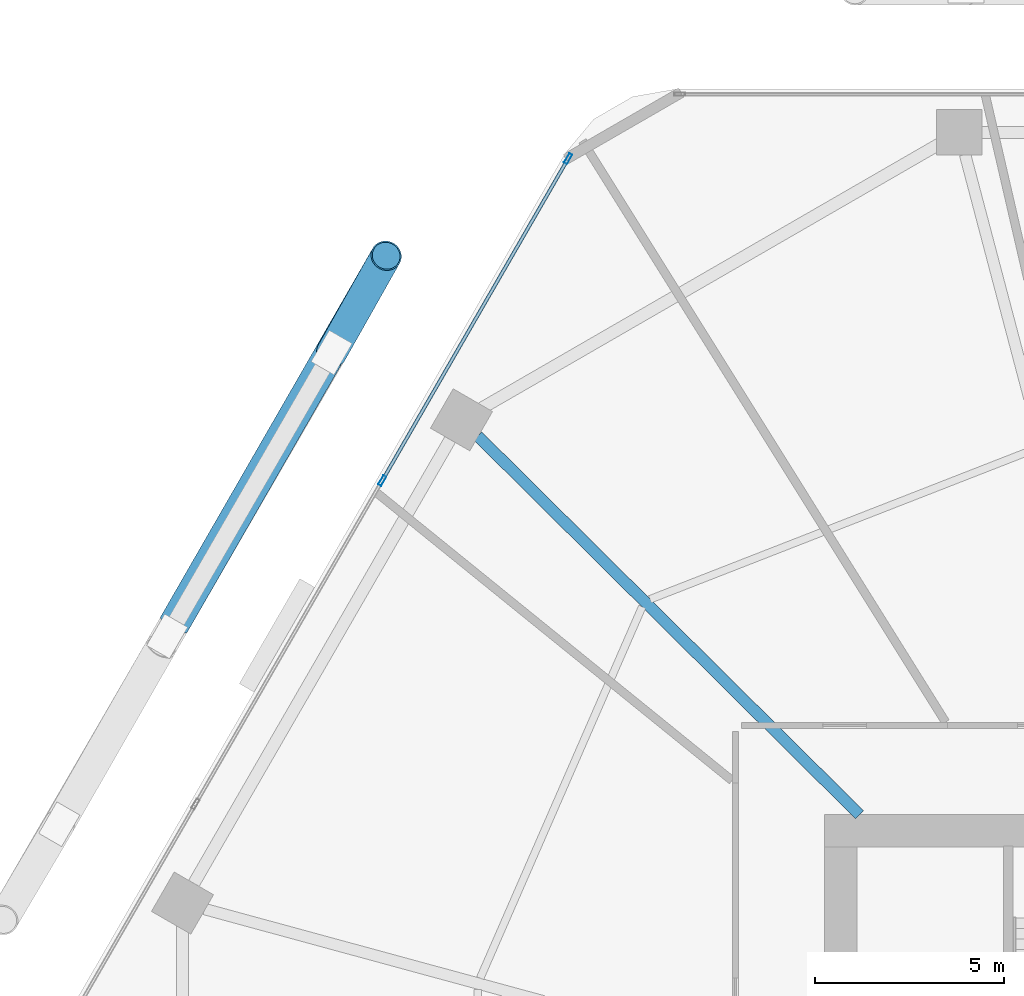
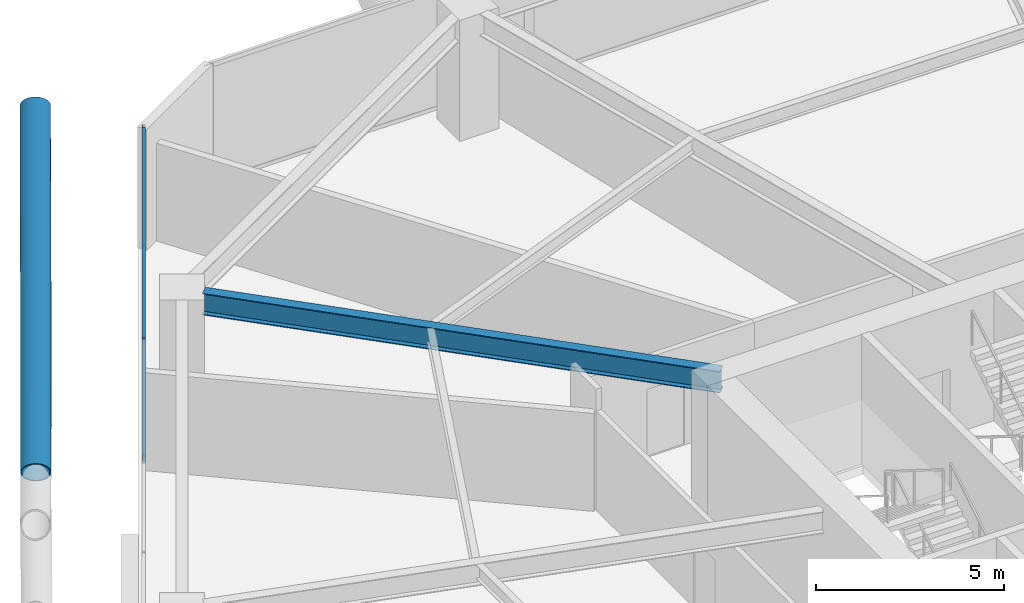
# One storey, part 15 of 30: 6 members, 1 beam, 1 element without a shape of its own.
"""IFC4 building model written with IfcOpenShell, lengths in metres."""

from ifc_helpers import new_model, si_unit, direction, frame, origin, origin_2d, place, context, subcontext, project, spatial, hollow_rectangle, hollow_circle, i_section, extrude, material, material_profile, profile_set, type_object, element, aggregate, save


model = new_model("IFC4")

# Units and contexts
model_context = context("Model", 3, precision=1e-05, world=origin(), true_north=direction((0.0, 1.0)))
body_context = subcontext(model_context, "Body", "Model", "MODEL_VIEW")
ifc_project = project(units=[si_unit("LENGTHUNIT", "METRE"), si_unit("AREAUNIT", "SQUARE_METRE"), si_unit("VOLUMEUNIT", "CUBIC_METRE"), si_unit("PLANEANGLEUNIT", "RADIAN"), si_unit("MASSUNIT", "GRAM", prefix="KILO")], contexts=[model_context])

# Site, building, storey
site_placement = place(None, origin())
site = spatial("IfcSite", under=ifc_project, at=site_placement, CompositionType="ELEMENT")
building_placement = place(site_placement, origin())
building = spatial("IfcBuilding", under=site, at=building_placement, Name="Zuhravey Tower", CompositionType="ELEMENT")
storey_placement = place(building_placement, frame((0.0, 0.0, 33.0)))
storey = spatial("IfcBuildingStorey", under=building, at=storey_placement, Name="L08", CompositionType="ELEMENT", Elevation=33.0)

# Curtain wall, members
ifc_material_1 = material(Name="Thermally broken anodised aluminium", Category="aluminium")
curtain_wall_type = type_object("IfcCurtainWallType", Name="School Low-E Unitised Curtain Wall CW1", PredefinedType="NOTDEFINED", material=ifc_material_1)
curtain_wall_placement = place(storey_placement, origin())
curtain_wall = element("IfcCurtainWall", 1, at=curtain_wall_placement, inside=storey, type_object=curtain_wall_type, Name="L08 CW1 CW-L08-F3-1", PredefinedType="NOTDEFINED")
ifc_material_2 = material(Name="Anodised aluminium", Category="aluminium")
ifc_material_profile_1 = material_profile(ifc_material_2, hollow_rectangle(XDim=0.090087890625, YDim=0.284912109375, WallThickness=0.0048828125, at=origin_2d()), Name="ALU-RHS-90x285x5")
ifc_profile_set_1 = profile_set([ifc_material_profile_1], Name="Anodised aluminium")
member_type_1 = type_object("IfcMemberType", Name="Curtain-Wall Mullion 90x180", PredefinedType="MULLION", material=ifc_profile_set_1)
member_1_placement = place(storey_placement, frame((13.387939453125, 50.75146484375, 0.0), z_axis=(0.0, 0.0, 1.0), x_axis=(-0.86602552265, 0.499999794119, 0.0)))
member_1 = element("IfcMember", 2, at=member_1_placement, type_object=member_type_1, Name="CW1 mullion 3", PredefinedType="MULLION", context=body_context, shape_type="SweptSolid", body=[
    extrude(hollow_rectangle(XDim=0.090087890625, YDim=0.284912109375, WallThickness=0.0048828125, at=origin_2d()), origin(), (0.0, 0.0, 1.0), 3.919921875),
])
member_2_placement = place(storey_placement, frame((18.298583984375, 59.257080078125, 0.0), z_axis=(0.0, 0.0, 1.0), x_axis=(-0.86602552265, 0.499999794119, 0.0)))
member_2 = element("IfcMember", 3, at=member_2_placement, type_object=member_type_1, Name="CW1 mullion 4", PredefinedType="MULLION", context=body_context, shape_type="SweptSolid", body=[
    extrude(hollow_rectangle(XDim=0.090087890625, YDim=0.284912109375, WallThickness=0.0048828125, at=origin_2d()), origin(), (0.0, 0.0, 1.0), 3.919921875),
])
ifc_material_profile_2 = material_profile(ifc_material_2, hollow_rectangle(XDim=0.090087890625, YDim=0.14990234375, WallThickness=0.0048828125, at=origin_2d()), Name="ALU-RHS-90x150x5")
ifc_profile_set_2 = profile_set([ifc_material_profile_2], Name="Anodised aluminium")
member_type_2 = type_object("IfcMemberType", Name="Curtain-Wall Transom 90x150", PredefinedType="USERDEFINED", material=ifc_profile_set_2)
member_3_placement = place(storey_placement, frame((13.410400390625, 50.79052734375, 0.044921875), z_axis=(0.499989576763, 0.86603142156, 0.0), x_axis=(-0.86603142156, 0.499989576763, 0.0)))
member_3 = element("IfcMember", 4, at=member_3_placement, type_object=member_type_2, Name="CW1 transom 3.1", ObjectType="TRANSOM", PredefinedType="USERDEFINED", context=body_context, shape_type="SweptSolid", body=[
    extrude(hollow_rectangle(XDim=0.090087890625, YDim=0.14990234375, WallThickness=0.0048828125, at=origin_2d()), origin(), (0.0, 0.0, 1.0), 9.731201171875),
])
member_4_placement = place(storey_placement, frame((13.410400390625, 50.79052734375, 3.875), z_axis=(0.499989576763, 0.86603142156, 0.0), x_axis=(-0.86603142156, 0.499989576763, 0.0)))
member_4 = element("IfcMember", 5, at=member_4_placement, type_object=member_type_2, Name="CW1 transom 3.2", ObjectType="TRANSOM", PredefinedType="USERDEFINED", context=body_context, shape_type="SweptSolid", body=[
    extrude(hollow_rectangle(XDim=0.090087890625, YDim=0.14990234375, WallThickness=0.0048828125, at=origin_2d()), origin(), (0.0, 0.0, 1.0), 9.731201171875),
])
aggregate(curtain_wall, [member_1, member_2, member_3, member_4])

# Members
ifc_material_3 = material(Name="Steel SM460", Category="steel")
ifc_material_profile_3 = material_profile(ifc_material_3, hollow_circle(Radius=0.406494140625, WallThickness=0.035888671875, at=origin_2d()), Name="CHS-812.8x36")
ifc_profile_set_3 = profile_set([ifc_material_profile_3], Name="Steel SM460")
member_type_3 = type_object("IfcMemberType", Name="Exoskeleton Zone 1 Diagrid CHS813x36", PredefinedType="BRACE", material=ifc_profile_set_3)
member_5_placement = place(storey_placement, frame((12.0537109375, 54.14111328125, -0.471923828125), z_axis=(0.16241062079, 0.288037579757, 0.943746333981), x_axis=(-0.871071780124, 0.49115573281, 0.0)))
element("IfcMember", 6, at=member_5_placement, inside=storey, type_object=member_type_3, Name="L08 Face 3 Diagrid Brace 1", PredefinedType="BRACE", context=body_context, shape_type="SweptSolid", body=[
    extrude(hollow_circle(Radius=0.406494140625, WallThickness=0.035888671875, at=origin_2d()), origin(), (0.0, 0.0, 1.0), 8.85400390625),
])
member_6_placement = place(storey_placement, frame((7.890380859375, 46.96044921875, 3.8408203125), z_axis=(0.469114322748, 0.81496866226, 0.340232026309), x_axis=(-0.866673062578, 0.49887654044, 0.0)))
element("IfcMember", 7, at=member_6_placement, inside=storey, type_object=member_type_3, Name="L08 Face 3 Split Diagrid Brace 3B", PredefinedType="BRACE", context=body_context, shape_type="SweptSolid", body=[
    extrude(hollow_circle(Radius=0.406494140625, WallThickness=0.035888671875, at=origin_2d()), origin(), (0.0, 0.0, 1.0), 11.89794921875),
])

# Beam
ifc_material_4 = material(Name="Steel SM355", Category="steel")
ifc_material_profile_4 = material_profile(ifc_material_4, i_section(OverallWidth=0.300048828125, OverallDepth=0.699951171875, WebThickness=0.012939453125, FlangeThickness=0.02392578125, at=origin_2d()), Name="H-700x300x13x24")
ifc_profile_set_4 = profile_set([ifc_material_profile_4], Name="Steel SM355")
beam_type = type_object("IfcBeamType", Name="Radial Primary Girder H700x300", PredefinedType="BEAM", material=ifc_profile_set_4)
beam_placement = place(storey_placement, frame((25.992919921875, 41.927978515625, 3.570068359375), z_axis=(-0.709902823282, 0.704299639, 0.0), x_axis=(-0.704299639, -0.709902823282, 0.0)))
element("IfcBeam", 8, at=beam_placement, inside=storey, type_object=beam_type, Name="L08 RG1 BM-L08-RAD-05", PredefinedType="BEAM", context=body_context, shape_type="SweptSolid", body=[
    extrude(i_section(OverallWidth=0.300048828125, OverallDepth=0.699951171875, WebThickness=0.012939453125, FlangeThickness=0.02392578125, at=origin_2d()), origin(), (0.0, 0.0, 1.0), 14.204345703125),
])

save(model, "model.ifc")
